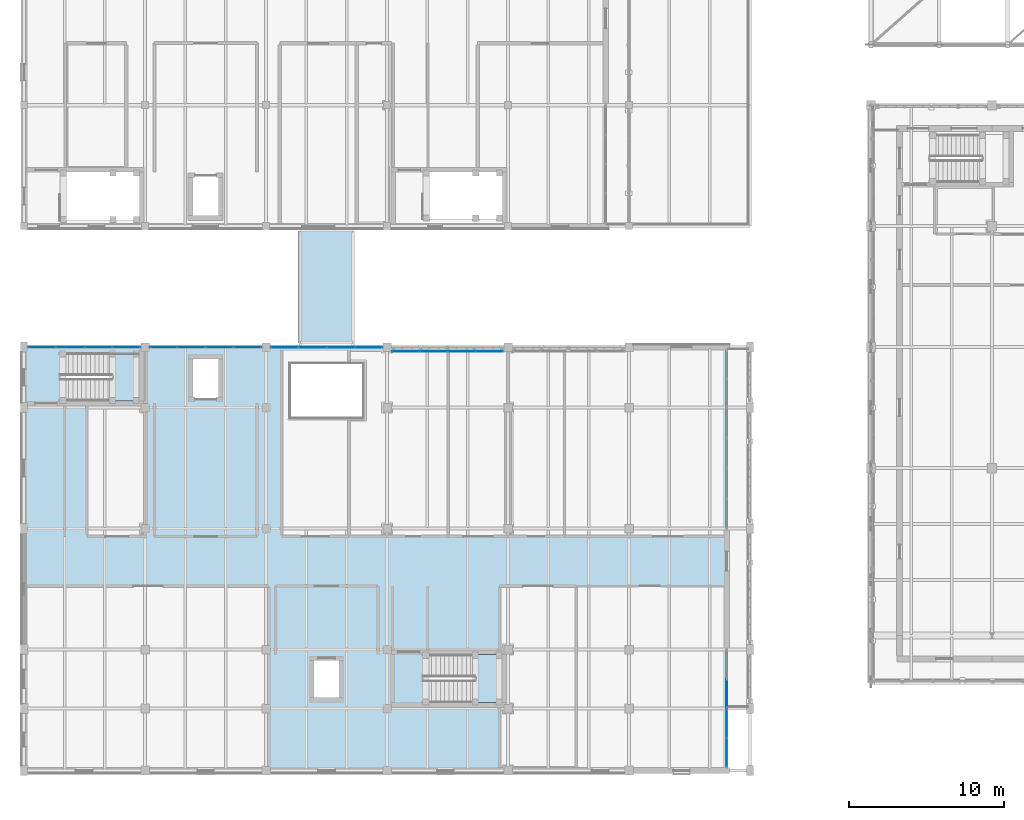
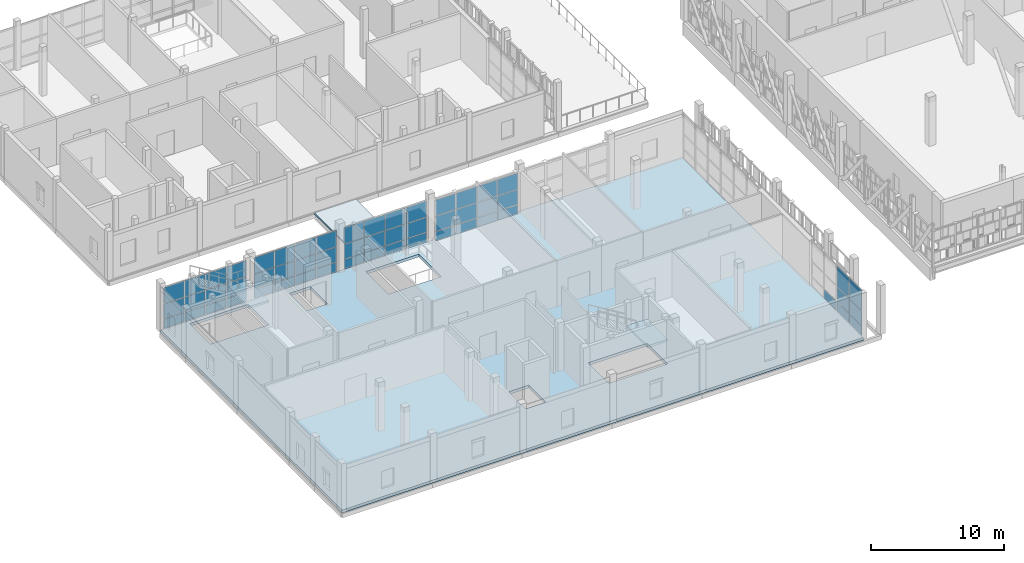
# One storey, part 66 of 119: 55 plates, 4 slabs, 8 elements without a shape of their own.
"""IFC4 building model written with IfcOpenShell, lengths in metres."""

import ifcopenshell
import ifcopenshell.guid

model = None  # the IFC model being written
_history = None  # IfcOwnerHistory: only IFC2X3 demands one
_inside = {}  # id of a spatial element -> (the spatial element, [elements in it])
_under = {}  # id of a project, library or spatial element -> (it, [spatial elements below it])
_declared = {}  # id of a project -> (the project, [libraries it declares])
_typed = {}  # id of a type object -> (the type object, [elements of that type])
_made_of = {}  # id of a material, layer set ... -> (it, [elements and type objects made of it])


def new_model(schema):
    """Start an empty IFC model of exactly this schema.

    Asked for "IFC4X3", IfcOpenShell would pick the latest addendum, in which some entities
    have other attributes; the version numbers below select the first issue.
    IFC2X3 requires an IfcOwnerHistory on every rooted entity: one is made here for all.
    """
    global model, _history
    if schema == "IFC4X3":
        model = ifcopenshell.file(schema_version=(4, 3, 0, 0))
    else:
        model = ifcopenshell.file(schema=schema)
    _inside.clear()
    _under.clear()
    _declared.clear()
    _typed.clear()
    _made_of.clear()
    _history = None
    if model.schema == "IFC2X3":
        org = make("IfcOrganization", Name="unknown")
        user = make(
            "IfcPersonAndOrganization",
            ThePerson=make("IfcPerson", FamilyName="unknown"),
            TheOrganization=org,
        )
        app = make(
            "IfcApplication",
            ApplicationDeveloper=org,
            Version="unknown",
            ApplicationFullName="unknown",
            ApplicationIdentifier="unknown",
        )
        _history = make(
            "IfcOwnerHistory",
            OwningUser=user,
            OwningApplication=app,
            ChangeAction="ADDED",
            CreationDate=0,
        )
    return model


def make(cls, **values):
    """One entity of the class cls with the attributes given. An attribute that is None is left unset."""
    return model.create_entity(
        cls, **{name: value for name, value in values.items() if value is not None}
    )


def rooted(cls, **values):
    """An entity with a GlobalId (a new one), such as an element, a storey or a relation."""
    return make(cls, GlobalId=ifcopenshell.guid.new(), OwnerHistory=_history, **values)


def si_unit(unit_type, name, prefix=None):
    """IfcSIUnit, for example si_unit("LENGTHUNIT", "METRE", prefix="MILLI")."""
    return make("IfcSIUnit", UnitType=unit_type, Prefix=prefix, Name=name)


def assignment(units):
    """IfcUnitAssignment: the units of a project."""
    return None if units is None else make("IfcUnitAssignment", Units=units)


def point(xyz):
    """IfcCartesianPoint."""
    return None if xyz is None else make("IfcCartesianPoint", Coordinates=xyz)


def direction(xyz):
    """IfcDirection."""
    return None if xyz is None else make("IfcDirection", DirectionRatios=xyz)


def frame(location, z_axis=None, x_axis=None):
    """IfcAxis2Placement3D, a coordinate frame: its origin and axes. An axis left out is left unset."""
    return make(
        "IfcAxis2Placement3D",
        Location=point(location),
        Axis=direction(z_axis),
        RefDirection=direction(x_axis),
    )


def frame_2d(location, x_axis=None):
    """IfcAxis2Placement2D, a coordinate frame in the plane: its origin and x axis."""
    return make(
        "IfcAxis2Placement2D", Location=point(location), RefDirection=direction(x_axis)
    )


def origin():
    """The frame at (0, 0, 0) with its axes left unset."""
    return frame((0.0, 0.0, 0.0))


def origin_2d():
    """The frame at (0, 0) in the plane with its x axis left unset."""
    return frame_2d((0.0, 0.0))


def place(relative_to, where):
    """IfcLocalPlacement: puts the frame where relative to a parent placement (None: the world)."""
    return make(
        "IfcLocalPlacement", PlacementRelTo=relative_to, RelativePlacement=where
    )


def context(
    kind, dimensions, precision=None, world=None, true_north=None, identifier=None
):
    """IfcGeometricRepresentationContext, for example the 3D "Model" context."""
    return make(
        "IfcGeometricRepresentationContext",
        ContextIdentifier=identifier,
        ContextType=kind,
        CoordinateSpaceDimension=dimensions,
        Precision=precision,
        WorldCoordinateSystem=world,
        TrueNorth=true_north,
    )


def subcontext(parent, identifier, kind, view, scale=None):
    """IfcGeometricRepresentationSubContext, for example "Body" below "Model"."""
    return make(
        "IfcGeometricRepresentationSubContext",
        ContextIdentifier=identifier,
        ContextType=kind,
        ParentContext=parent,
        TargetScale=scale,
        TargetView=view,
    )


def project(units=None, contexts=None):
    """IfcProject with its units and contexts."""
    return rooted(
        "IfcProject",
        Name="project",
        RepresentationContexts=contexts,
        UnitsInContext=assignment(units),
    )


def spatial(cls, under=None, at=None, **own):
    """A site, building, storey or space (cls), placed at a placement, below another one or the project."""
    s = rooted(cls, ObjectPlacement=at, **own)
    if under is not None:
        _under.setdefault(under.id(), (under, []))[1].append(s)
    return s


def polyline(points):
    """IfcPolyline through the points."""
    return make("IfcPolyline", Points=[point(p) for p in points])


def profile(cls, at=None, kind="AREA", **sizes):
    """A parametric profile (cls). Its sizes go by their IFC names, for example OverallWidth=200.0."""
    return make(cls, ProfileType=kind, Position=at, **sizes)


def rectangle(**sizes):
    """IfcRectangleProfileDef."""
    return profile("IfcRectangleProfileDef", **sizes)


def outline(outer, holes=None, kind="AREA"):
    """IfcArbitraryClosedProfileDef: a profile drawn as a closed curve; with holes, ...WithVoids."""
    if holes is None:
        return make("IfcArbitraryClosedProfileDef", ProfileType=kind, OuterCurve=outer)
    return make(
        "IfcArbitraryProfileDefWithVoids",
        ProfileType=kind,
        OuterCurve=outer,
        InnerCurves=holes,
    )


def extrude(swept, where, along, depth):
    """IfcExtrudedAreaSolid: the profile swept, set in the frame where, extruded along a direction by depth."""
    return make(
        "IfcExtrudedAreaSolid",
        SweptArea=swept,
        Position=where,
        ExtrudedDirection=direction(along),
        Depth=depth,
    )


def shape(context_of_items, identifier, shape_type, items):
    """IfcShapeRepresentation: the items that make up one representation, for example the "Body"."""
    return make(
        "IfcShapeRepresentation",
        ContextOfItems=context_of_items,
        RepresentationIdentifier=identifier,
        RepresentationType=shape_type,
        Items=items,
    )


def material(Name=None, Category=None):
    """IfcMaterial."""
    return make("IfcMaterial", Name=Name, Category=Category)


def layer(
    of_material, thickness, ventilated=None, Name=None, Category=None, Priority=None
):
    """IfcMaterialLayer: one layer of a wall or slab, of a material (None: an air gap)."""
    return make(
        "IfcMaterialLayer",
        Material=of_material,
        LayerThickness=thickness,
        IsVentilated=ventilated,
        Name=Name,
        Category=Category,
        Priority=Priority,
    )


def layer_set(layers, Name=None):
    """IfcMaterialLayerSet."""
    return make("IfcMaterialLayerSet", MaterialLayers=layers, LayerSetName=Name)


def made_of(thing, what):
    """Note that an element or type object is made of a material, layer set ...; save() writes the relation."""
    if what is not None:
        _made_of.setdefault(what.id(), (what, []))[1].append(thing)
    return thing


def type_object(cls, material=None, **own):
    """A type object (cls), such as IfcWallType, which elements share."""
    return made_of(rooted(cls, **own), material)


def element(
    cls,
    number,
    at=None,
    inside=None,
    cuts=None,
    type_object=None,
    material=None,
    context=None,
    identifier="Body",
    shape_type=None,
    held_by="IfcProductDefinitionShape",
    body=None,
    shapes=None,
    **own,
):
    """One element of the class cls, such as IfcWall. Its Tag is "e" and its number.

    at: its placement. inside: the storey or other place that contains it. cuts: it is an
    opening in that element (IfcRelVoidsElement). A single representation is given by context,
    identifier, shape_type and body (its items); several are given by shapes. held_by: the class
    of the entity that holds the representations. save() writes the other relations.
    """
    e = rooted(cls, Tag="e%d" % number, ObjectPlacement=at, **own)
    if body is not None:
        shapes = [shape(context, identifier, shape_type, body)]
    if shapes is not None:
        e.Representation = make(held_by, Representations=shapes)
    if inside is not None:
        _inside.setdefault(inside.id(), (inside, []))[1].append(e)
    if cuts is not None:
        rooted(
            "IfcRelVoidsElement", RelatingBuildingElement=cuts, RelatedOpeningElement=e
        )
    if type_object is not None:
        _typed.setdefault(type_object.id(), (type_object, []))[1].append(e)
    return made_of(e, material)


def aggregate(whole, parts):
    """IfcRelAggregates: a whole, such as a stair, and the parts it consists of."""
    return rooted("IfcRelAggregates", RelatingObject=whole, RelatedObjects=parts)


def save(model, path):
    """Write the relations noted so far, then the file.

    IfcRelAggregates (storeys below a building ...), IfcRelContainedInSpatialStructure (elements
    in a storey), IfcRelDefinesByType, IfcRelAssociatesMaterial and IfcRelDeclares: one each for
    every whole, place, type object, material and project.
    """
    for whole, parts in _under.values():
        aggregate(whole, parts)
    for where, things in _inside.values():
        rooted(
            "IfcRelContainedInSpatialStructure",
            RelatedElements=things,
            RelatingStructure=where,
        )
    for kind, things in _typed.values():
        rooted("IfcRelDefinesByType", RelatedObjects=things, RelatingType=kind)
    for what, things in _made_of.values():
        rooted("IfcRelAssociatesMaterial", RelatedObjects=things, RelatingMaterial=what)
    for by, libraries in _declared.values():
        rooted("IfcRelDeclares", RelatingContext=by, RelatedDefinitions=libraries)
    model.write(path)


model = new_model("IFC4")

# Units and contexts
model_context = context("Model", 3, precision=1e-05, world=origin(), true_north=direction((0.0, 1.0)))
body_context = subcontext(model_context, "Body", "Model", "MODEL_VIEW")
ifc_project = project(units=[si_unit("LENGTHUNIT", "METRE"), si_unit("AREAUNIT", "SQUARE_METRE"), si_unit("VOLUMEUNIT", "CUBIC_METRE"), si_unit("PLANEANGLEUNIT", "RADIAN"), si_unit("MASSUNIT", "GRAM", prefix="KILO")], contexts=[model_context])

# Site, building, storey
site_placement = place(None, origin())
site = spatial("IfcSite", under=ifc_project, at=site_placement, CompositionType="ELEMENT")
building_placement = place(site_placement, origin())
building = spatial("IfcBuilding", under=site, at=building_placement, Name="Celorna Specialist Clinic", CompositionType="ELEMENT")
storey_placement = place(building_placement, frame((0.0, 0.0, 9.60009765625)))
storey = spatial("IfcBuildingStorey", under=building, at=storey_placement, Name="L02", CompositionType="ELEMENT", Elevation=9.60009765625)

# Curtain wall, plates
ifc_material_1 = material(Name="Thermally broken aluminium and solar-control glass curtain wall", Category="aluminium")
ifc_layer_1 = layer(ifc_material_1, 0.159912109375, Name="Thermally broken aluminium and solar-control glass curtain wall")
ifc_layer_set_1 = layer_set([ifc_layer_1], Name="Thermally broken aluminium and solar-control glass curtain wall")
curtain_wall_type_1 = type_object("IfcCurtainWallType", Name="CW-87", PredefinedType="NOTDEFINED", material=ifc_layer_set_1)
curtain_wall_1_placement = place(storey_placement, origin())
curtain_wall_1 = element("IfcCurtainWall", 1, at=curtain_wall_1_placement, inside=storey, type_object=curtain_wall_type_1, Name="Curtain wall CW-87 #161", PredefinedType="NOTDEFINED")
ifc_material_2 = material(Name="Low-e double glazing", Category="glass")
ifc_layer_2 = layer(ifc_material_2, 0.028076171875, Name="Low-e double glazing")
ifc_layer_set_2 = layer_set([ifc_layer_2], Name="Low-e double glazing")
plate_type_1 = type_object("IfcPlateType", Name="CPN-01", PredefinedType="CURTAIN_PANEL", material=ifc_layer_set_2)
plate_1_placement = place(storey_placement, frame((1.153076171875, 27.300048828125, 0.0498046875), z_axis=(0.0, 0.0, 1.0), x_axis=(1.0, 0.0, 0.0)))
plate_1 = element("IfcPlate", 2, at=plate_1_placement, type_object=plate_type_1, Name="CW-87 panel 1.1", PredefinedType="CURTAIN_PANEL", context=body_context, shape_type="SweptSolid", body=[
    extrude(rectangle(XDim=1.748046875, YDim=0.028076171875, at=origin_2d()), origin(), (0.0, 0.0, 1.0), 0.824951171875),
])
plate_2_placement = place(storey_placement, frame((1.153076171875, 27.300048828125, 0.9248046875), z_axis=(0.0, 0.0, 1.0), x_axis=(1.0, 0.0, 0.0)))
plate_2 = element("IfcPlate", 3, at=plate_2_placement, type_object=plate_type_1, Name="CW-87 panel 1.2", PredefinedType="CURTAIN_PANEL", context=body_context, shape_type="SweptSolid", body=[
    extrude(rectangle(XDim=1.748046875, YDim=0.028076171875, at=origin_2d()), origin(), (0.0, 0.0, 1.0), 1.35009765625),
])
plate_3_placement = place(storey_placement, frame((1.153076171875, 27.300048828125, 2.32470703125), z_axis=(0.0, 0.0, 1.0), x_axis=(1.0, 0.0, 0.0)))
plate_3 = element("IfcPlate", 4, at=plate_3_placement, type_object=plate_type_1, Name="CW-87 panel 1.3", PredefinedType="CURTAIN_PANEL", context=body_context, shape_type="SweptSolid", body=[
    extrude(rectangle(XDim=1.748046875, YDim=0.028076171875, at=origin_2d()), origin(), (0.0, 0.0, 1.0), 1.465087890625),
])
plate_4_placement = place(storey_placement, frame((2.96337890625, 27.300048828125, 0.0498046875), z_axis=(0.0, 0.0, 1.0), x_axis=(1.0, 0.0, 0.0)))
plate_4 = element("IfcPlate", 5, at=plate_4_placement, type_object=plate_type_1, Name="CW-87 panel 2.1", PredefinedType="CURTAIN_PANEL", context=body_context, shape_type="SweptSolid", body=[
    extrude(rectangle(XDim=1.77294921875, YDim=0.028076171875, at=origin_2d()), origin(), (0.0, 0.0, 1.0), 0.824951171875),
])
plate_5_placement = place(storey_placement, frame((2.96337890625, 27.300048828125, 0.9248046875), z_axis=(0.0, 0.0, 1.0), x_axis=(1.0, 0.0, 0.0)))
plate_5 = element("IfcPlate", 6, at=plate_5_placement, type_object=plate_type_1, Name="CW-87 panel 2.2", PredefinedType="CURTAIN_PANEL", context=body_context, shape_type="SweptSolid", body=[
    extrude(rectangle(XDim=1.77294921875, YDim=0.028076171875, at=origin_2d()), origin(), (0.0, 0.0, 1.0), 1.35009765625),
])
plate_6_placement = place(storey_placement, frame((2.96337890625, 27.300048828125, 2.32470703125), z_axis=(0.0, 0.0, 1.0), x_axis=(1.0, 0.0, 0.0)))
plate_6 = element("IfcPlate", 7, at=plate_6_placement, type_object=plate_type_1, Name="CW-87 panel 2.3", PredefinedType="CURTAIN_PANEL", context=body_context, shape_type="SweptSolid", body=[
    extrude(rectangle(XDim=1.77294921875, YDim=0.028076171875, at=origin_2d()), origin(), (0.0, 0.0, 1.0), 1.465087890625),
])
plate_7_placement = place(storey_placement, frame((4.78662109375, 27.300048828125, 0.0498046875), z_axis=(0.0, 0.0, 1.0), x_axis=(1.0, 0.0, 0.0)))
plate_7 = element("IfcPlate", 8, at=plate_7_placement, type_object=plate_type_1, Name="CW-87 panel 3.1", PredefinedType="CURTAIN_PANEL", context=body_context, shape_type="SweptSolid", body=[
    extrude(rectangle(XDim=1.77294921875, YDim=0.028076171875, at=origin_2d()), origin(), (0.0, 0.0, 1.0), 0.824951171875),
])
plate_8_placement = place(storey_placement, frame((4.78662109375, 27.300048828125, 0.9248046875), z_axis=(0.0, 0.0, 1.0), x_axis=(1.0, 0.0, 0.0)))
plate_8 = element("IfcPlate", 9, at=plate_8_placement, type_object=plate_type_1, Name="CW-87 panel 3.2", PredefinedType="CURTAIN_PANEL", context=body_context, shape_type="SweptSolid", body=[
    extrude(rectangle(XDim=1.77294921875, YDim=0.028076171875, at=origin_2d()), origin(), (0.0, 0.0, 1.0), 1.35009765625),
])
plate_9_placement = place(storey_placement, frame((4.78662109375, 27.300048828125, 2.32470703125), z_axis=(0.0, 0.0, 1.0), x_axis=(1.0, 0.0, 0.0)))
plate_9 = element("IfcPlate", 10, at=plate_9_placement, type_object=plate_type_1, Name="CW-87 panel 3.3", PredefinedType="CURTAIN_PANEL", context=body_context, shape_type="SweptSolid", body=[
    extrude(rectangle(XDim=1.77294921875, YDim=0.028076171875, at=origin_2d()), origin(), (0.0, 0.0, 1.0), 1.465087890625),
])
plate_10_placement = place(storey_placement, frame((6.596923828125, 27.300048828125, 0.0498046875), z_axis=(0.0, 0.0, 1.0), x_axis=(1.0, 0.0, 0.0)))
plate_10 = element("IfcPlate", 11, at=plate_10_placement, type_object=plate_type_1, Name="CW-87 panel 4.1", PredefinedType="CURTAIN_PANEL", context=body_context, shape_type="SweptSolid", body=[
    extrude(rectangle(XDim=1.748046875, YDim=0.028076171875, at=origin_2d()), origin(), (0.0, 0.0, 1.0), 0.824951171875),
])
plate_11_placement = place(storey_placement, frame((6.596923828125, 27.300048828125, 0.9248046875), z_axis=(0.0, 0.0, 1.0), x_axis=(1.0, 0.0, 0.0)))
plate_11 = element("IfcPlate", 12, at=plate_11_placement, type_object=plate_type_1, Name="CW-87 panel 4.2", PredefinedType="CURTAIN_PANEL", context=body_context, shape_type="SweptSolid", body=[
    extrude(rectangle(XDim=1.748046875, YDim=0.028076171875, at=origin_2d()), origin(), (0.0, 0.0, 1.0), 1.35009765625),
])
plate_12_placement = place(storey_placement, frame((6.596923828125, 27.300048828125, 2.32470703125), z_axis=(0.0, 0.0, 1.0), x_axis=(1.0, 0.0, 0.0)))
plate_12 = element("IfcPlate", 13, at=plate_12_placement, type_object=plate_type_1, Name="CW-87 panel 4.3", PredefinedType="CURTAIN_PANEL", context=body_context, shape_type="SweptSolid", body=[
    extrude(rectangle(XDim=1.748046875, YDim=0.028076171875, at=origin_2d()), origin(), (0.0, 0.0, 1.0), 1.465087890625),
])
aggregate(curtain_wall_1, [plate_1, plate_2, plate_3, plate_4, plate_5, plate_6, plate_7, plate_8, plate_9, plate_10, plate_11, plate_12])

ifc_layer_3 = layer(ifc_material_1, 0.159912109375, Name="Thermally broken aluminium and solar-control glass curtain wall")
ifc_layer_set_3 = layer_set([ifc_layer_3], Name="Thermally broken aluminium and solar-control glass curtain wall")
curtain_wall_type_2 = type_object("IfcCurtainWallType", Name="CW-90", PredefinedType="NOTDEFINED", material=ifc_layer_set_3)
curtain_wall_2_placement = place(storey_placement, origin())
curtain_wall_2 = element("IfcCurtainWall", 14, at=curtain_wall_2_placement, inside=storey, type_object=curtain_wall_type_2, Name="Curtain wall CW-90 #164", PredefinedType="NOTDEFINED")
plate_13_placement = place(storey_placement, frame((24.5966796875, 27.02001953125, 0.0498046875), z_axis=(0.0, 0.0, 1.0), x_axis=(1.0, 0.0, 0.0)))
plate_13 = element("IfcPlate", 15, at=plate_13_placement, type_object=plate_type_1, Name="CW-90 panel 1.1", PredefinedType="CURTAIN_PANEL", context=body_context, shape_type="SweptSolid", body=[
    extrude(rectangle(XDim=1.735595703125, YDim=0.028076171875, at=origin_2d()), origin(), (0.0, 0.0, 1.0), 0.824951171875),
])
plate_14_placement = place(storey_placement, frame((24.5966796875, 27.02001953125, 0.9248046875), z_axis=(0.0, 0.0, 1.0), x_axis=(1.0, 0.0, 0.0)))
plate_14 = element("IfcPlate", 16, at=plate_14_placement, type_object=plate_type_1, Name="CW-90 panel 1.2", PredefinedType="CURTAIN_PANEL", context=body_context, shape_type="SweptSolid", body=[
    extrude(rectangle(XDim=1.735595703125, YDim=0.028076171875, at=origin_2d()), origin(), (0.0, 0.0, 1.0), 1.35009765625),
])
plate_15_placement = place(storey_placement, frame((24.5966796875, 27.02001953125, 2.32470703125), z_axis=(0.0, 0.0, 1.0), x_axis=(1.0, 0.0, 0.0)))
plate_15 = element("IfcPlate", 17, at=plate_15_placement, type_object=plate_type_1, Name="CW-90 panel 1.3", PredefinedType="CURTAIN_PANEL", context=body_context, shape_type="SweptSolid", body=[
    extrude(rectangle(XDim=1.735595703125, YDim=0.028076171875, at=origin_2d()), origin(), (0.0, 0.0, 1.0), 1.465087890625),
])
plate_16_placement = place(storey_placement, frame((26.394775390625, 27.02001953125, 0.0498046875), z_axis=(0.0, 0.0, 1.0), x_axis=(1.0, 0.0, 0.0)))
plate_16 = element("IfcPlate", 18, at=plate_16_placement, type_object=plate_type_1, Name="CW-90 panel 2.1", PredefinedType="CURTAIN_PANEL", context=body_context, shape_type="SweptSolid", body=[
    extrude(rectangle(XDim=1.760498046875, YDim=0.028076171875, at=origin_2d()), origin(), (0.0, 0.0, 1.0), 0.824951171875),
])
plate_17_placement = place(storey_placement, frame((26.394775390625, 27.02001953125, 0.9248046875), z_axis=(0.0, 0.0, 1.0), x_axis=(1.0, 0.0, 0.0)))
plate_17 = element("IfcPlate", 19, at=plate_17_placement, type_object=plate_type_1, Name="CW-90 panel 2.2", PredefinedType="CURTAIN_PANEL", context=body_context, shape_type="SweptSolid", body=[
    extrude(rectangle(XDim=1.760498046875, YDim=0.028076171875, at=origin_2d()), origin(), (0.0, 0.0, 1.0), 1.35009765625),
])
plate_18_placement = place(storey_placement, frame((26.394775390625, 27.02001953125, 2.32470703125), z_axis=(0.0, 0.0, 1.0), x_axis=(1.0, 0.0, 0.0)))
plate_18 = element("IfcPlate", 20, at=plate_18_placement, type_object=plate_type_1, Name="CW-90 panel 2.3", PredefinedType="CURTAIN_PANEL", context=body_context, shape_type="SweptSolid", body=[
    extrude(rectangle(XDim=1.760498046875, YDim=0.028076171875, at=origin_2d()), origin(), (0.0, 0.0, 1.0), 1.465087890625),
])
plate_19_placement = place(storey_placement, frame((28.205322265625, 27.02001953125, 0.0498046875), z_axis=(0.0, 0.0, 1.0), x_axis=(1.0, 0.0, 0.0)))
plate_19 = element("IfcPlate", 21, at=plate_19_placement, type_object=plate_type_1, Name="CW-90 panel 3.1", PredefinedType="CURTAIN_PANEL", context=body_context, shape_type="SweptSolid", body=[
    extrude(rectangle(XDim=1.760498046875, YDim=0.028076171875, at=origin_2d()), origin(), (0.0, 0.0, 1.0), 0.824951171875),
])
plate_20_placement = place(storey_placement, frame((28.205322265625, 27.02001953125, 0.9248046875), z_axis=(0.0, 0.0, 1.0), x_axis=(1.0, 0.0, 0.0)))
plate_20 = element("IfcPlate", 22, at=plate_20_placement, type_object=plate_type_1, Name="CW-90 panel 3.2", PredefinedType="CURTAIN_PANEL", context=body_context, shape_type="SweptSolid", body=[
    extrude(rectangle(XDim=1.760498046875, YDim=0.028076171875, at=origin_2d()), origin(), (0.0, 0.0, 1.0), 1.35009765625),
])
plate_21_placement = place(storey_placement, frame((28.205322265625, 27.02001953125, 2.32470703125), z_axis=(0.0, 0.0, 1.0), x_axis=(1.0, 0.0, 0.0)))
plate_21 = element("IfcPlate", 23, at=plate_21_placement, type_object=plate_type_1, Name="CW-90 panel 3.3", PredefinedType="CURTAIN_PANEL", context=body_context, shape_type="SweptSolid", body=[
    extrude(rectangle(XDim=1.760498046875, YDim=0.028076171875, at=origin_2d()), origin(), (0.0, 0.0, 1.0), 1.465087890625),
])
plate_22_placement = place(storey_placement, frame((30.003173828125, 27.02001953125, 0.0498046875), z_axis=(0.0, 0.0, 1.0), x_axis=(1.0, 0.0, 0.0)))
plate_22 = element("IfcPlate", 24, at=plate_22_placement, type_object=plate_type_1, Name="CW-90 panel 4.1", PredefinedType="CURTAIN_PANEL", context=body_context, shape_type="SweptSolid", body=[
    extrude(rectangle(XDim=1.735595703125, YDim=0.028076171875, at=origin_2d()), origin(), (0.0, 0.0, 1.0), 0.824951171875),
])
plate_23_placement = place(storey_placement, frame((30.003173828125, 27.02001953125, 0.9248046875), z_axis=(0.0, 0.0, 1.0), x_axis=(1.0, 0.0, 0.0)))
plate_23 = element("IfcPlate", 25, at=plate_23_placement, type_object=plate_type_1, Name="CW-90 panel 4.2", PredefinedType="CURTAIN_PANEL", context=body_context, shape_type="SweptSolid", body=[
    extrude(rectangle(XDim=1.735595703125, YDim=0.028076171875, at=origin_2d()), origin(), (0.0, 0.0, 1.0), 1.35009765625),
])
plate_24_placement = place(storey_placement, frame((30.003173828125, 27.02001953125, 2.32470703125), z_axis=(0.0, 0.0, 1.0), x_axis=(1.0, 0.0, 0.0)))
plate_24 = element("IfcPlate", 26, at=plate_24_placement, type_object=plate_type_1, Name="CW-90 panel 4.3", PredefinedType="CURTAIN_PANEL", context=body_context, shape_type="SweptSolid", body=[
    extrude(rectangle(XDim=1.735595703125, YDim=0.028076171875, at=origin_2d()), origin(), (0.0, 0.0, 1.0), 1.465087890625),
])
aggregate(curtain_wall_2, [plate_13, plate_14, plate_15, plate_16, plate_17, plate_18, plate_19, plate_20, plate_21, plate_22, plate_23, plate_24])

ifc_layer_4 = layer(ifc_material_1, 0.159912109375, Name="Thermally broken aluminium and solar-control glass curtain wall")
ifc_layer_set_4 = layer_set([ifc_layer_4], Name="Thermally broken aluminium and solar-control glass curtain wall")
curtain_wall_type_3 = type_object("IfcCurtainWallType", Name="CW-91", PredefinedType="NOTDEFINED", material=ifc_layer_set_4)
curtain_wall_3_placement = place(storey_placement, origin())
curtain_wall_3 = element("IfcCurtainWall", 27, at=curtain_wall_3_placement, inside=storey, type_object=curtain_wall_type_3, Name="Curtain wall CW-91 #166", PredefinedType="NOTDEFINED")
plate_25_placement = place(storey_placement, frame((45.300048828125, 3.032958984375, 0.0498046875), z_axis=(0.0, 0.0, 1.0), x_axis=(0.0, -1.0, 0.0)))
plate_25 = element("IfcPlate", 28, at=plate_25_placement, type_object=plate_type_1, Name="CW-91 panel 1.1", PredefinedType="CURTAIN_PANEL", context=body_context, shape_type="SweptSolid", body=[
    extrude(rectangle(XDim=1.825927734375, YDim=0.028076171875, at=origin_2d()), origin(), (0.0, 0.0, 1.0), 0.824951171875),
])
plate_26_placement = place(storey_placement, frame((45.300048828125, 3.032958984375, 0.9248046875), z_axis=(0.0, 0.0, 1.0), x_axis=(0.0, -1.0, 0.0)))
plate_26 = element("IfcPlate", 29, at=plate_26_placement, type_object=plate_type_1, Name="CW-91 panel 1.2", PredefinedType="CURTAIN_PANEL", context=body_context, shape_type="SweptSolid", body=[
    extrude(rectangle(XDim=1.825927734375, YDim=0.028076171875, at=origin_2d()), origin(), (0.0, 0.0, 1.0), 1.35009765625),
])
plate_27_placement = place(storey_placement, frame((45.300048828125, 3.032958984375, 2.32470703125), z_axis=(0.0, 0.0, 1.0), x_axis=(0.0, -1.0, 0.0)))
plate_27 = element("IfcPlate", 30, at=plate_27_placement, type_object=plate_type_1, Name="CW-91 panel 1.3", PredefinedType="CURTAIN_PANEL", context=body_context, shape_type="SweptSolid", body=[
    extrude(rectangle(XDim=1.825927734375, YDim=0.028076171875, at=origin_2d()), origin(), (0.0, 0.0, 1.0), 1.864990234375),
])
plate_28_placement = place(storey_placement, frame((45.300048828125, 1.156982421875, 0.0498046875), z_axis=(0.0, 0.0, 1.0), x_axis=(0.0, -1.0, 0.0)))
plate_28 = element("IfcPlate", 31, at=plate_28_placement, type_object=plate_type_1, Name="CW-91 panel 2.1", PredefinedType="CURTAIN_PANEL", context=body_context, shape_type="SweptSolid", body=[
    extrude(rectangle(XDim=1.825927734375, YDim=0.028076171875, at=origin_2d()), origin(), (0.0, 0.0, 1.0), 0.824951171875),
])
plate_29_placement = place(storey_placement, frame((45.300048828125, 1.156982421875, 0.9248046875), z_axis=(0.0, 0.0, 1.0), x_axis=(0.0, -1.0, 0.0)))
plate_29 = element("IfcPlate", 32, at=plate_29_placement, type_object=plate_type_1, Name="CW-91 panel 2.2", PredefinedType="CURTAIN_PANEL", context=body_context, shape_type="SweptSolid", body=[
    extrude(rectangle(XDim=1.825927734375, YDim=0.028076171875, at=origin_2d()), origin(), (0.0, 0.0, 1.0), 1.35009765625),
])
plate_30_placement = place(storey_placement, frame((45.300048828125, 1.156982421875, 2.32470703125), z_axis=(0.0, 0.0, 1.0), x_axis=(0.0, -1.0, 0.0)))
plate_30 = element("IfcPlate", 33, at=plate_30_placement, type_object=plate_type_1, Name="CW-91 panel 2.3", PredefinedType="CURTAIN_PANEL", context=body_context, shape_type="SweptSolid", body=[
    extrude(rectangle(XDim=1.825927734375, YDim=0.028076171875, at=origin_2d()), origin(), (0.0, 0.0, 1.0), 1.864990234375),
])
aggregate(curtain_wall_3, [plate_25, plate_26, plate_27, plate_28, plate_29, plate_30])

ifc_layer_5 = layer(ifc_material_1, 0.159912109375, Name="Thermally broken aluminium and solar-control glass curtain wall")
ifc_layer_set_5 = layer_set([ifc_layer_5], Name="Thermally broken aluminium and solar-control glass curtain wall")
curtain_wall_type_4 = type_object("IfcCurtainWallType", Name="CW-88", PredefinedType="NOTDEFINED", material=ifc_layer_set_5)
curtain_wall_4_placement = place(storey_placement, origin())
curtain_wall_4 = element("IfcCurtainWall", 34, at=curtain_wall_4_placement, inside=storey, type_object=curtain_wall_type_4, Name="Curtain wall CW-88 #162", PredefinedType="NOTDEFINED")
ifc_material_3 = material(Name="Solar-control triple glazing", Category="glass")
ifc_layer_6 = layer(ifc_material_3, 0.035888671875, Name="Solar-control triple glazing")
ifc_layer_set_6 = layer_set([ifc_layer_6], Name="Solar-control triple glazing")
plate_type_2 = type_object("IfcPlateType", Name="CPN-02", PredefinedType="CURTAIN_PANEL", material=ifc_layer_set_6)
plate_31_placement = place(storey_placement, frame((8.996826171875, 27.300048828125, 0.0498046875), z_axis=(0.0, 0.0, 1.0), x_axis=(1.0, 0.0, 0.0)))
plate_31 = element("IfcPlate", 35, at=plate_31_placement, type_object=plate_type_2, Name="CW-88 panel 1.1", PredefinedType="CURTAIN_PANEL", context=body_context, shape_type="SweptSolid", body=[
    extrude(rectangle(XDim=1.735595703125, YDim=0.035888671875, at=origin_2d()), origin(), (0.0, 0.0, 1.0), 0.824951171875),
])
plate_32_placement = place(storey_placement, frame((8.996826171875, 27.300048828125, 0.9248046875), z_axis=(0.0, 0.0, 1.0), x_axis=(1.0, 0.0, 0.0)))
plate_32 = element("IfcPlate", 36, at=plate_32_placement, type_object=plate_type_2, Name="CW-88 panel 1.2", PredefinedType="CURTAIN_PANEL", context=body_context, shape_type="SweptSolid", body=[
    extrude(rectangle(XDim=1.735595703125, YDim=0.035888671875, at=origin_2d()), origin(), (0.0, 0.0, 1.0), 1.35009765625),
])
plate_33_placement = place(storey_placement, frame((8.996826171875, 27.300048828125, 2.32470703125), z_axis=(0.0, 0.0, 1.0), x_axis=(1.0, 0.0, 0.0)))
plate_33 = element("IfcPlate", 37, at=plate_33_placement, type_object=plate_type_2, Name="CW-88 panel 1.3", PredefinedType="CURTAIN_PANEL", context=body_context, shape_type="SweptSolid", body=[
    extrude(rectangle(XDim=1.735595703125, YDim=0.035888671875, at=origin_2d()), origin(), (0.0, 0.0, 1.0), 1.465087890625),
])
plate_34_placement = place(storey_placement, frame((10.794677734375, 27.300048828125, 0.0498046875), z_axis=(0.0, 0.0, 1.0), x_axis=(1.0, 0.0, 0.0)))
plate_34 = element("IfcPlate", 38, at=plate_34_placement, type_object=plate_type_2, Name="CW-88 panel 2.1", PredefinedType="CURTAIN_PANEL", context=body_context, shape_type="SweptSolid", body=[
    extrude(rectangle(XDim=1.760498046875, YDim=0.035888671875, at=origin_2d()), origin(), (0.0, 0.0, 1.0), 0.824951171875),
])
plate_35_placement = place(storey_placement, frame((10.794677734375, 27.300048828125, 0.9248046875), z_axis=(0.0, 0.0, 1.0), x_axis=(1.0, 0.0, 0.0)))
plate_35 = element("IfcPlate", 39, at=plate_35_placement, type_object=plate_type_2, Name="CW-88 panel 2.2", PredefinedType="CURTAIN_PANEL", context=body_context, shape_type="SweptSolid", body=[
    extrude(rectangle(XDim=1.760498046875, YDim=0.035888671875, at=origin_2d()), origin(), (0.0, 0.0, 1.0), 1.35009765625),
])
plate_36_placement = place(storey_placement, frame((10.794677734375, 27.300048828125, 2.32470703125), z_axis=(0.0, 0.0, 1.0), x_axis=(1.0, 0.0, 0.0)))
plate_36 = element("IfcPlate", 40, at=plate_36_placement, type_object=plate_type_2, Name="CW-88 panel 2.3", PredefinedType="CURTAIN_PANEL", context=body_context, shape_type="SweptSolid", body=[
    extrude(rectangle(XDim=1.760498046875, YDim=0.035888671875, at=origin_2d()), origin(), (0.0, 0.0, 1.0), 1.465087890625),
])
plate_37_placement = place(storey_placement, frame((12.605224609375, 27.300048828125, 0.0498046875), z_axis=(0.0, 0.0, 1.0), x_axis=(1.0, 0.0, 0.0)))
plate_37 = element("IfcPlate", 41, at=plate_37_placement, type_object=plate_type_2, Name="CW-88 panel 3.1", PredefinedType="CURTAIN_PANEL", context=body_context, shape_type="SweptSolid", body=[
    extrude(rectangle(XDim=1.760498046875, YDim=0.035888671875, at=origin_2d()), origin(), (0.0, 0.0, 1.0), 0.824951171875),
])
plate_38_placement = place(storey_placement, frame((12.605224609375, 27.300048828125, 0.9248046875), z_axis=(0.0, 0.0, 1.0), x_axis=(1.0, 0.0, 0.0)))
plate_38 = element("IfcPlate", 42, at=plate_38_placement, type_object=plate_type_2, Name="CW-88 panel 3.2", PredefinedType="CURTAIN_PANEL", context=body_context, shape_type="SweptSolid", body=[
    extrude(rectangle(XDim=1.760498046875, YDim=0.035888671875, at=origin_2d()), origin(), (0.0, 0.0, 1.0), 1.35009765625),
])
plate_39_placement = place(storey_placement, frame((12.605224609375, 27.300048828125, 2.32470703125), z_axis=(0.0, 0.0, 1.0), x_axis=(1.0, 0.0, 0.0)))
plate_39 = element("IfcPlate", 43, at=plate_39_placement, type_object=plate_type_2, Name="CW-88 panel 3.3", PredefinedType="CURTAIN_PANEL", context=body_context, shape_type="SweptSolid", body=[
    extrude(rectangle(XDim=1.760498046875, YDim=0.035888671875, at=origin_2d()), origin(), (0.0, 0.0, 1.0), 1.465087890625),
])
plate_40_placement = place(storey_placement, frame((14.4033203125, 27.300048828125, 0.0498046875), z_axis=(0.0, 0.0, 1.0), x_axis=(1.0, 0.0, 0.0)))
plate_40 = element("IfcPlate", 44, at=plate_40_placement, type_object=plate_type_2, Name="CW-88 panel 4.1", PredefinedType="CURTAIN_PANEL", context=body_context, shape_type="SweptSolid", body=[
    extrude(rectangle(XDim=1.735595703125, YDim=0.035888671875, at=origin_2d()), origin(), (0.0, 0.0, 1.0), 0.824951171875),
])
plate_41_placement = place(storey_placement, frame((14.4033203125, 27.300048828125, 0.9248046875), z_axis=(0.0, 0.0, 1.0), x_axis=(1.0, 0.0, 0.0)))
plate_41 = element("IfcPlate", 45, at=plate_41_placement, type_object=plate_type_2, Name="CW-88 panel 4.2", PredefinedType="CURTAIN_PANEL", context=body_context, shape_type="SweptSolid", body=[
    extrude(rectangle(XDim=1.735595703125, YDim=0.035888671875, at=origin_2d()), origin(), (0.0, 0.0, 1.0), 1.35009765625),
])
plate_42_placement = place(storey_placement, frame((14.4033203125, 27.300048828125, 2.32470703125), z_axis=(0.0, 0.0, 1.0), x_axis=(1.0, 0.0, 0.0)))
plate_42 = element("IfcPlate", 46, at=plate_42_placement, type_object=plate_type_2, Name="CW-88 panel 4.3", PredefinedType="CURTAIN_PANEL", context=body_context, shape_type="SweptSolid", body=[
    extrude(rectangle(XDim=1.735595703125, YDim=0.035888671875, at=origin_2d()), origin(), (0.0, 0.0, 1.0), 1.465087890625),
])
aggregate(curtain_wall_4, [plate_31, plate_32, plate_33, plate_34, plate_35, plate_36, plate_37, plate_38, plate_39, plate_40, plate_41, plate_42])

# Curtain wall, plate
ifc_layer_7 = layer(ifc_material_1, 0.159912109375, Name="Thermally broken aluminium and solar-control glass curtain wall")
ifc_layer_set_7 = layer_set([ifc_layer_7], Name="Thermally broken aluminium and solar-control glass curtain wall")
curtain_wall_type_5 = type_object("IfcCurtainWallType", Name="CW-92", PredefinedType="NOTDEFINED", material=ifc_layer_set_7)
curtain_wall_5_placement = place(storey_placement, origin())
curtain_wall_5 = element("IfcCurtainWall", 47, at=curtain_wall_5_placement, inside=storey, type_object=curtain_wall_type_5, Name="Curtain wall CW-92 #167", PredefinedType="NOTDEFINED")
plate_43_placement = place(storey_placement, frame((45.300048828125, 4.964599609375, 0.0498046875), z_axis=(0.0, 0.0, 1.0), x_axis=(0.0, -1.0, 0.0)))
plate_43 = element("IfcPlate", 48, at=plate_43_placement, type_object=plate_type_2, Name="CW-92 panel 2.1", PredefinedType="CURTAIN_PANEL", context=body_context, shape_type="SweptSolid", body=[
    extrude(rectangle(XDim=1.821044921875, YDim=0.035888671875, at=origin_2d()), origin(), (0.0, 0.0, 1.0), 0.824951171875),
])
aggregate(curtain_wall_5, [plate_43])

# Curtain wall, plates
ifc_layer_8 = layer(ifc_material_1, 0.159912109375, Name="Thermally broken aluminium and solar-control glass curtain wall")
ifc_layer_set_8 = layer_set([ifc_layer_8], Name="Thermally broken aluminium and solar-control glass curtain wall")
curtain_wall_type_6 = type_object("IfcCurtainWallType", Name="CW-89", PredefinedType="NOTDEFINED", material=ifc_layer_set_8)
curtain_wall_6_placement = place(storey_placement, origin())
curtain_wall_6 = element("IfcCurtainWall", 49, at=curtain_wall_6_placement, inside=storey, type_object=curtain_wall_type_6, Name="Curtain wall CW-89 #163", PredefinedType="NOTDEFINED")
ifc_material_4 = material(Name="Glazed polychrome ceramic insulated spandrel")
ifc_layer_9 = layer(ifc_material_4, 0.0439453125, Name="Glazed polychrome ceramic insulated spandrel")
ifc_layer_set_9 = layer_set([ifc_layer_9], Name="Glazed polychrome ceramic insulated spandrel")
plate_type_3 = type_object("IfcPlateType", Name="CPN-03", PredefinedType="CURTAIN_PANEL", material=ifc_layer_set_9)
plate_44_placement = place(storey_placement, frame((16.796630859375, 27.300048828125, 0.0498046875), z_axis=(0.0, 0.0, 1.0), x_axis=(1.0, 0.0, 0.0)))
plate_44 = element("IfcPlate", 50, at=plate_44_placement, type_object=plate_type_3, Name="CW-89 panel 1.1", PredefinedType="CURTAIN_PANEL", context=body_context, shape_type="SweptSolid", body=[
    extrude(rectangle(XDim=1.735595703125, YDim=0.0439453125, at=origin_2d()), origin(), (0.0, 0.0, 1.0), 0.824951171875),
])
plate_45_placement = place(storey_placement, frame((16.796630859375, 27.300048828125, 0.9248046875), z_axis=(0.0, 0.0, 1.0), x_axis=(1.0, 0.0, 0.0)))
plate_45 = element("IfcPlate", 51, at=plate_45_placement, type_object=plate_type_3, Name="CW-89 panel 1.2", PredefinedType="CURTAIN_PANEL", context=body_context, shape_type="SweptSolid", body=[
    extrude(rectangle(XDim=1.735595703125, YDim=0.0439453125, at=origin_2d()), origin(), (0.0, 0.0, 1.0), 1.35009765625),
])
plate_46_placement = place(storey_placement, frame((16.796630859375, 27.300048828125, 2.32470703125), z_axis=(0.0, 0.0, 1.0), x_axis=(1.0, 0.0, 0.0)))
plate_46 = element("IfcPlate", 52, at=plate_46_placement, type_object=plate_type_3, Name="CW-89 panel 1.3", PredefinedType="CURTAIN_PANEL", context=body_context, shape_type="SweptSolid", body=[
    extrude(rectangle(XDim=1.735595703125, YDim=0.0439453125, at=origin_2d()), origin(), (0.0, 0.0, 1.0), 1.465087890625),
])
plate_47_placement = place(storey_placement, frame((18.5947265625, 27.300048828125, 0.0498046875), z_axis=(0.0, 0.0, 1.0), x_axis=(1.0, 0.0, 0.0)))
plate_47 = element("IfcPlate", 53, at=plate_47_placement, type_object=plate_type_3, Name="CW-89 panel 2.1", PredefinedType="CURTAIN_PANEL", context=body_context, shape_type="SweptSolid", body=[
    extrude(rectangle(XDim=1.760498046875, YDim=0.0439453125, at=origin_2d()), origin(), (0.0, 0.0, 1.0), 0.824951171875),
])
plate_48_placement = place(storey_placement, frame((18.5947265625, 27.300048828125, 0.9248046875), z_axis=(0.0, 0.0, 1.0), x_axis=(1.0, 0.0, 0.0)))
plate_48 = element("IfcPlate", 54, at=plate_48_placement, type_object=plate_type_3, Name="CW-89 panel 2.2", PredefinedType="CURTAIN_PANEL", context=body_context, shape_type="SweptSolid", body=[
    extrude(rectangle(XDim=1.760498046875, YDim=0.0439453125, at=origin_2d()), origin(), (0.0, 0.0, 1.0), 1.35009765625),
])
plate_49_placement = place(storey_placement, frame((18.5947265625, 27.300048828125, 2.32470703125), z_axis=(0.0, 0.0, 1.0), x_axis=(1.0, 0.0, 0.0)))
plate_49 = element("IfcPlate", 55, at=plate_49_placement, type_object=plate_type_3, Name="CW-89 panel 2.3", PredefinedType="CURTAIN_PANEL", context=body_context, shape_type="SweptSolid", body=[
    extrude(rectangle(XDim=1.760498046875, YDim=0.0439453125, at=origin_2d()), origin(), (0.0, 0.0, 1.0), 1.465087890625),
])
plate_50_placement = place(storey_placement, frame((20.4052734375, 27.300048828125, 0.0498046875), z_axis=(0.0, 0.0, 1.0), x_axis=(1.0, 0.0, 0.0)))
plate_50 = element("IfcPlate", 56, at=plate_50_placement, type_object=plate_type_3, Name="CW-89 panel 3.1", PredefinedType="CURTAIN_PANEL", context=body_context, shape_type="SweptSolid", body=[
    extrude(rectangle(XDim=1.760498046875, YDim=0.0439453125, at=origin_2d()), origin(), (0.0, 0.0, 1.0), 0.824951171875),
])
plate_51_placement = place(storey_placement, frame((20.4052734375, 27.300048828125, 0.9248046875), z_axis=(0.0, 0.0, 1.0), x_axis=(1.0, 0.0, 0.0)))
plate_51 = element("IfcPlate", 57, at=plate_51_placement, type_object=plate_type_3, Name="CW-89 panel 3.2", PredefinedType="CURTAIN_PANEL", context=body_context, shape_type="SweptSolid", body=[
    extrude(rectangle(XDim=1.760498046875, YDim=0.0439453125, at=origin_2d()), origin(), (0.0, 0.0, 1.0), 1.35009765625),
])
plate_52_placement = place(storey_placement, frame((20.4052734375, 27.300048828125, 2.32470703125), z_axis=(0.0, 0.0, 1.0), x_axis=(1.0, 0.0, 0.0)))
plate_52 = element("IfcPlate", 58, at=plate_52_placement, type_object=plate_type_3, Name="CW-89 panel 3.3", PredefinedType="CURTAIN_PANEL", context=body_context, shape_type="SweptSolid", body=[
    extrude(rectangle(XDim=1.760498046875, YDim=0.0439453125, at=origin_2d()), origin(), (0.0, 0.0, 1.0), 1.465087890625),
])
plate_53_placement = place(storey_placement, frame((22.203369140625, 27.300048828125, 0.0498046875), z_axis=(0.0, 0.0, 1.0), x_axis=(1.0, 0.0, 0.0)))
plate_53 = element("IfcPlate", 59, at=plate_53_placement, type_object=plate_type_3, Name="CW-89 panel 4.1", PredefinedType="CURTAIN_PANEL", context=body_context, shape_type="SweptSolid", body=[
    extrude(rectangle(XDim=1.735595703125, YDim=0.0439453125, at=origin_2d()), origin(), (0.0, 0.0, 1.0), 0.824951171875),
])
plate_54_placement = place(storey_placement, frame((22.203369140625, 27.300048828125, 0.9248046875), z_axis=(0.0, 0.0, 1.0), x_axis=(1.0, 0.0, 0.0)))
plate_54 = element("IfcPlate", 60, at=plate_54_placement, type_object=plate_type_3, Name="CW-89 panel 4.2", PredefinedType="CURTAIN_PANEL", context=body_context, shape_type="SweptSolid", body=[
    extrude(rectangle(XDim=1.735595703125, YDim=0.0439453125, at=origin_2d()), origin(), (0.0, 0.0, 1.0), 1.35009765625),
])
plate_55_placement = place(storey_placement, frame((22.203369140625, 27.300048828125, 2.32470703125), z_axis=(0.0, 0.0, 1.0), x_axis=(1.0, 0.0, 0.0)))
plate_55 = element("IfcPlate", 61, at=plate_55_placement, type_object=plate_type_3, Name="CW-89 panel 4.3", PredefinedType="CURTAIN_PANEL", context=body_context, shape_type="SweptSolid", body=[
    extrude(rectangle(XDim=1.735595703125, YDim=0.0439453125, at=origin_2d()), origin(), (0.0, 0.0, 1.0), 1.465087890625),
])
aggregate(curtain_wall_6, [plate_44, plate_45, plate_46, plate_47, plate_48, plate_49, plate_50, plate_51, plate_52, plate_53, plate_54, plate_55])

# Slab
ifc_material_5 = material(Name="Concrete C35/45", Category="concrete")
ifc_layer_10 = layer(ifc_material_5, 0.260009765625, Name="Concrete C35/45")
ifc_layer_set_10 = layer_set([ifc_layer_10], Name="Concrete C35/45")
slab_type_1 = type_object("IfcSlabType", Name="SL-08", PredefinedType="FLOOR", material=ifc_layer_set_10)
slab_1_placement = place(storey_placement, frame((0.0, 0.0, -0.260009765625)))
element("IfcSlab", 62, at=slab_1_placement, inside=storey, type_object=slab_type_1, Name="V5 L02 structural slab SL-08", PredefinedType="FLOOR", context=body_context, shape_type="SweptSolid", body=[
    extrude(outline(polyline([(45.300048828125, 0.0), (45.300048828125, 27.300048828125), (0.0, 27.300048828125), (0.0, 0.0), (45.300048828125, 0.0)]), holes=[polyline([(2.31005859375, 23.820068359375), (7.409912109375, 23.820068359375), (7.409912109375, 26.919921875), (2.31005859375, 26.919921875), (2.31005859375, 23.820068359375)]), polyline([(25.7099609375, 4.3798828125), (30.81005859375, 4.3798828125), (30.81005859375, 7.47998046875), (25.7099609375, 7.47998046875), (25.7099609375, 4.3798828125)]), polyline([(10.794921875, 23.9951171875), (12.60498046875, 23.9951171875), (12.60498046875, 26.60498046875), (10.794921875, 26.60498046875), (10.794921875, 23.9951171875)]), polyline([(18.6201171875, 4.6201171875), (20.3798828125, 4.6201171875), (20.3798828125, 7.179931640625), (18.6201171875, 7.179931640625), (18.6201171875, 4.6201171875)]), polyline([(17.199951171875, 22.800048828125), (21.800048828125, 22.800048828125), (21.800048828125, 26.199951171875), (17.199951171875, 26.199951171875), (17.199951171875, 22.800048828125)])]), origin(), (0.0, 0.0, 1.0), 0.260009765625),
])

# Stair, slab
stair_type = type_object("IfcStairType", Name="ST-01", PredefinedType="HALF_TURN_STAIR", material=ifc_material_5)
stair_1_placement = place(storey_placement, origin())
stair_1 = element("IfcStair", 63, at=stair_1_placement, inside=storey, type_object=stair_type, Name="L02 Protected exit stair ST-04", PredefinedType="HALF_TURN_STAIR")
ifc_layer_11 = layer(ifc_material_5, 0.199951171875, Name="Concrete C35/45")
ifc_layer_set_11 = layer_set([ifc_layer_11], Name="Concrete C35/45")
slab_type_2 = type_object("IfcSlabType", Name="SL-11", PredefinedType="LANDING", material=ifc_layer_set_11)
slab_2_placement = place(storey_placement, frame((0.0, 0.0, 2.0498046875)))
slab_2 = element("IfcSlab", 64, at=slab_2_placement, type_object=slab_type_2, Name="ST-04 landing 1", PredefinedType="LANDING", context=body_context, shape_type="SweptSolid", body=[
    extrude(outline(polyline([(5.669921875, 23.820068359375), (7.409912109375, 23.820068359375), (7.409912109375, 26.919921875), (5.669921875, 26.919921875), (5.669921875, 23.820068359375)])), origin(), (0.0, 0.0, 1.0), 0.2001953125),
])
aggregate(stair_1, [slab_2])

stair_2_placement = place(storey_placement, origin())
stair_2 = element("IfcStair", 65, at=stair_2_placement, inside=storey, type_object=stair_type, Name="L02 Protected exit stair ST-05", PredefinedType="HALF_TURN_STAIR")
slab_3_placement = place(storey_placement, frame((0.0, 0.0, 2.0498046875)))
slab_3 = element("IfcSlab", 66, at=slab_3_placement, type_object=slab_type_2, Name="ST-05 landing 1", PredefinedType="LANDING", context=body_context, shape_type="SweptSolid", body=[
    extrude(outline(polyline([(29.070068359375, 4.3798828125), (30.81005859375, 4.3798828125), (30.81005859375, 7.47998046875), (29.070068359375, 7.47998046875), (29.070068359375, 4.3798828125)])), origin(), (0.0, 0.0, 1.0), 0.2001953125),
])
aggregate(stair_2, [slab_3])

# Slab
ifc_material_6 = material(Name="Precast concrete C35/45", Category="concrete")
ifc_layer_12 = layer(ifc_material_6, 0.139892578125, Name="Precast concrete C35/45")
ifc_layer_set_12 = layer_set([ifc_layer_12], Name="Precast concrete C35/45")
slab_type_3 = type_object("IfcSlabType", Name="SL-14", PredefinedType="ROOF", material=ifc_layer_set_12)
slab_4_placement = place(storey_placement, frame((0.0, 0.0, -0.14013671875)))
element("IfcSlab", 67, at=slab_4_placement, inside=storey, type_object=slab_type_3, Name="Cloister bridge BR-01 roof slab", PredefinedType="ROOF", context=body_context, shape_type="SweptSolid", body=[
    extrude(outline(polyline([(17.699951171875, 27.56005859375), (21.300048828125, 27.56005859375), (21.300048828125, 34.800048828125), (17.699951171875, 34.800048828125), (17.699951171875, 27.56005859375)])), origin(), (0.0, 0.0, 1.0), 0.14013671875),
])

save(model, "model.ifc")
